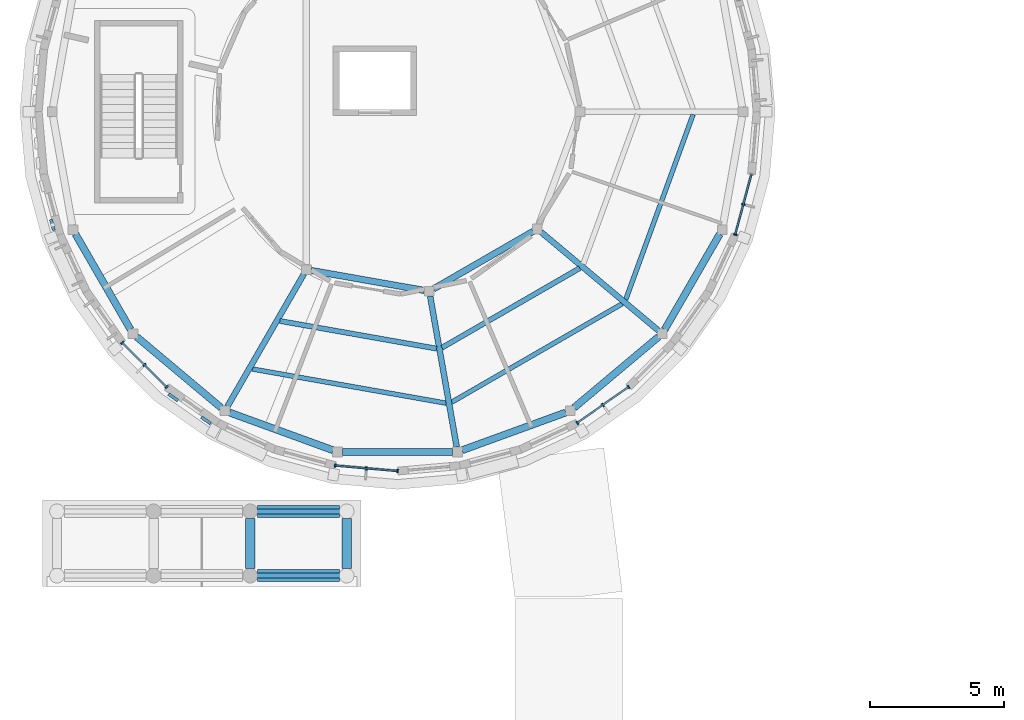
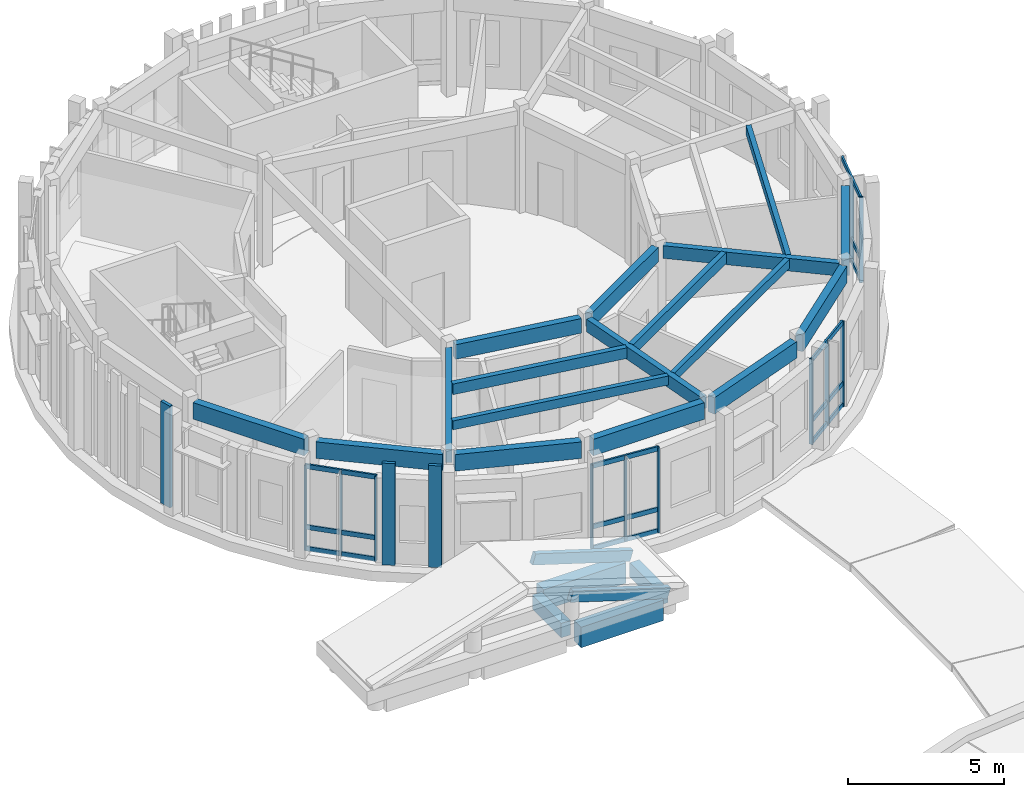
# One storey, part 13 of 58: 28 members, 21 beams, 4 elements without a shape of their own.
"""IFC4 building model written with IfcOpenShell, lengths in metres."""

from ifc_helpers import new_model, si_unit, direction, frame, origin, origin_2d, place, context, subcontext, project, spatial, rectangle, extrude, material, layer, layer_set, material_profile, profile_set, type_object, element, aggregate, save


model = new_model("IFC4")

# Units and contexts
model_context = context("Model", 3, precision=1e-05, world=origin(), true_north=direction((0.0, 1.0)))
body_context = subcontext(model_context, "Body", "Model", "MODEL_VIEW")
ifc_project = project(units=[si_unit("LENGTHUNIT", "METRE"), si_unit("AREAUNIT", "SQUARE_METRE"), si_unit("VOLUMEUNIT", "CUBIC_METRE"), si_unit("PLANEANGLEUNIT", "RADIAN"), si_unit("MASSUNIT", "GRAM", prefix="KILO")], contexts=[model_context])

# Site, building, storey
site_placement = place(None, origin())
site = spatial("IfcSite", under=ifc_project, at=site_placement, CompositionType="ELEMENT")
building_placement = place(site_placement, origin())
building = spatial("IfcBuilding", under=site, at=building_placement, Name="Aldenvaro Health Centre", CompositionType="ELEMENT")
storey_placement = place(building_placement, frame((0.0, 0.0, 8.75)))
storey = spatial("IfcBuildingStorey", under=building, at=storey_placement, Name="L02", CompositionType="ELEMENT", Elevation=8.75)

# Beams
ifc_material_1 = material(Name="Glulam GL28h", Category="wood")
ifc_material_profile_1 = material_profile(ifc_material_1, rectangle(XDim=0.175048828125, YDim=0.35009765625, at=origin_2d()), Name="GL 175x350", Category="wood")
ifc_profile_set_1 = profile_set([ifc_material_profile_1], Name="Glulam GL28h")
beam_type_1 = type_object("IfcBeamType", Name="BM-GL-350", PredefinedType="JOIST", material=ifc_profile_set_1)
beam_1_placement = place(storey_placement, frame((13.077880859375, 89.906982421875, 3.800048828125), z_axis=(0.984808635893, -0.173643170525, 0.0), x_axis=(0.173643170525, 0.984808635893, 0.0)))
element("IfcBeam", 1, at=beam_1_placement, inside=storey, type_object=beam_type_1, Name="D4 L02 secondary joist 04.2", PredefinedType="JOIST", context=body_context, shape_type="SweptSolid", body=[
    extrude(rectangle(XDim=0.175048828125, YDim=0.35009765625, at=origin_2d()), origin(), (0.0, 0.0, 1.0), 7.34765625),
])
beam_2_placement = place(storey_placement, frame((20.512939453125, 88.666015625, 3.800048828125), z_axis=(0.866036760986, 0.499980328234, 0.0), x_axis=(-0.499980328234, 0.866036760986, 0.0)))
element("IfcBeam", 2, at=beam_2_placement, inside=storey, type_object=beam_type_1, Name="D4 L02 secondary joist 05.2", PredefinedType="JOIST", context=body_context, shape_type="SweptSolid", body=[
    extrude(rectangle(XDim=0.175048828125, YDim=0.35009765625, at=origin_2d()), origin(), (0.0, 0.0, 1.0), 7.348388671875),
])
beam_3_placement = place(storey_placement, frame((27.006103515625, 92.493896484375, 3.800048828125), z_axis=(0.341985813082, 0.939705115263, 0.0), x_axis=(-0.939705115263, 0.341985813082, 0.0)))
element("IfcBeam", 3, at=beam_3_placement, inside=storey, type_object=beam_type_1, Name="D4 L02 secondary joist 06.2", PredefinedType="JOIST", context=body_context, shape_type="SweptSolid", body=[
    extrude(rectangle(XDim=0.175048828125, YDim=0.35009765625, at=origin_2d()), origin(), (0.0, 0.0, 1.0), 7.34814453125),
])
ifc_material_profile_2 = material_profile(ifc_material_1, rectangle(XDim=0.18994140625, YDim=0.41796875, at=origin_2d()), Name="GL 190x418", Category="wood")
ifc_profile_set_2 = profile_set([ifc_material_profile_2], Name="Glulam GL28h")
beam_type_2 = type_object("IfcBeamType", Name="BM-GL-418", PredefinedType="JOIST", material=ifc_profile_set_2)
beam_4_placement = place(storey_placement, frame((14.111083984375, 91.697021484375, 3.76611328125), z_axis=(0.98479184112, -0.173738394329, 0.0), x_axis=(0.173738394329, 0.98479184112, 0.0)))
element("IfcBeam", 4, at=beam_4_placement, inside=storey, type_object=beam_type_2, Name="D4 L02 secondary joist 04.1", PredefinedType="JOIST", context=body_context, shape_type="SweptSolid", body=[
    extrude(rectangle(XDim=0.18994140625, YDim=0.41796875, at=origin_2d()), origin(), (0.0, 0.0, 1.0), 5.934326171875),
])
beam_5_placement = place(storey_placement, frame((20.154052734375, 90.700927734375, 3.76611328125), z_axis=(0.866019093774, 0.5000109291, 0.0), x_axis=(-0.5000109291, 0.866019093774, 0.0)))
element("IfcBeam", 5, at=beam_5_placement, inside=storey, type_object=beam_type_2, Name="D4 L02 secondary joist 05.1", PredefinedType="JOIST", context=body_context, shape_type="SweptSolid", body=[
    extrude(rectangle(XDim=0.18994140625, YDim=0.41796875, at=origin_2d()), origin(), (0.0, 0.0, 1.0), 5.933837890625),
])
ifc_material_profile_3 = material_profile(ifc_material_1, rectangle(XDim=0.215087890625, YDim=0.493896484375, at=origin_2d()), Name="GL 215x494", Category="wood")
ifc_profile_set_3 = profile_set([ifc_material_profile_3], Name="Glulam GL28h")
beam_type_3 = type_object("IfcBeamType", Name="BM-GL-494", PredefinedType="BEAM", material=ifc_profile_set_3)
beam_6_placement = place(storey_placement, frame((15.009033203125, 93.452880859375, 3.72802734375), z_axis=(-0.50011318099, -0.865960048847, 0.0), x_axis=(0.865960048847, -0.50011318099, 0.0)))
element("IfcBeam", 6, at=beam_6_placement, inside=storey, type_object=beam_type_3, Name="D4 L02 radial beam 04", PredefinedType="BEAM", context=body_context, shape_type="SweptSolid", body=[
    extrude(rectangle(XDim=0.215087890625, YDim=0.493896484375, at=origin_2d()), origin(), (0.0, 0.0, 1.0), 5.715087890625),
])
beam_7_placement = place(storey_placement, frame((19.712890625, 92.623046875, 3.72802734375), z_axis=(0.173648830292, -0.984807637937, 0.0), x_axis=(0.984807637937, 0.173648830292, 0.0)))
element("IfcBeam", 7, at=beam_7_placement, inside=storey, type_object=beam_type_3, Name="D4 L02 radial beam 05", PredefinedType="BEAM", context=body_context, shape_type="SweptSolid", body=[
    extrude(rectangle(XDim=0.215087890625, YDim=0.493896484375, at=origin_2d()), origin(), (0.0, 0.0, 1.0), 5.7138671875),
])
beam_8_placement = place(storey_placement, frame((23.84912109375, 95.011962890625, 3.72802734375), z_axis=(0.765996790542, -0.642844395542, 0.0), x_axis=(0.642844395542, 0.765996790542, 0.0)))
element("IfcBeam", 8, at=beam_8_placement, inside=storey, type_object=beam_type_3, Name="D4 L02 radial beam 06", PredefinedType="BEAM", context=body_context, shape_type="SweptSolid", body=[
    extrude(rectangle(XDim=0.215087890625, YDim=0.493896484375, at=origin_2d()), origin(), (0.0, 0.0, 1.0), 5.71533203125),
])
ifc_material_profile_4 = material_profile(ifc_material_1, rectangle(XDim=0.239990234375, YDim=0.570068359375, at=origin_2d()), Name="GL 240x570", Category="wood")
ifc_profile_set_4 = profile_set([ifc_material_profile_4], Name="Glulam GL28h")
beam_type_4 = type_object("IfcBeamType", Name="BM-GL-570", PredefinedType="BEAM", material=ifc_profile_set_4)
beam_9_placement = place(storey_placement, frame((15.280029296875, 93.5791015625, 3.68994140625), z_axis=(0.984812790368, -0.173619606978, 0.0), x_axis=(0.173619606978, 0.984812790368, 0.0)))
element("IfcBeam", 9, at=beam_9_placement, inside=storey, type_object=beam_type_4, Name="D4 L02 inner ring beam 04", PredefinedType="BEAM", context=body_context, shape_type="SweptSolid", body=[
    extrude(rectangle(XDim=0.239990234375, YDim=0.570068359375, at=origin_2d()), origin(), (0.0, 0.0, 1.0), 4.2861328125),
])
beam_10_placement = place(storey_placement, frame((19.839111328125, 92.89404296875, 3.68994140625), z_axis=(0.865927566099, 0.500169421566, 0.0), x_axis=(-0.500169421566, 0.865927566099, 0.0)))
element("IfcBeam", 10, at=beam_10_placement, inside=storey, type_object=beam_type_4, Name="D4 L02 inner ring beam 05", PredefinedType="BEAM", context=body_context, shape_type="SweptSolid", body=[
    extrude(rectangle(XDim=0.239990234375, YDim=0.570068359375, at=origin_2d()), origin(), (0.0, 0.0, 1.0), 4.28662109375),
])
ifc_material_profile_5 = material_profile(ifc_material_1, rectangle(XDim=0.264892578125, YDim=0.64599609375, at=origin_2d()), Name="GL 265x646", Category="wood")
ifc_profile_set_5 = profile_set([ifc_material_profile_5], Name="Glulam GL28h")
beam_type_5 = type_object("IfcBeamType", Name="BM-GL-646", PredefinedType="SPANDREL", material=ifc_profile_set_5)
for number, where, z_axis, x_axis, name in (
    (11, (6.488037109375, 94.93701171875, 3.652099609375), (0.499941933745, -0.866058925757, 0.0), (0.866058925757, 0.499941933745, 0.0), "D4 L02 perimeter spandrel 11"),
    (12, (8.77294921875, 91.10400390625, 3.652099609375), (0.765985749545, -0.64285755148, 0.0), (0.64285755148, 0.765985749545, 0.0), "D4 L02 perimeter spandrel 12"),
):
    element("IfcBeam", number, at=place(storey_placement, frame(where, z_axis=z_axis, x_axis=x_axis)), inside=storey, type_object=beam_type_5, Name=name, PredefinedType="SPANDREL", context=body_context, shape_type="SweptSolid", body=[
        extrude(rectangle(XDim=0.264892578125, YDim=0.64599609375, at=origin_2d()), origin(), (0.0, 0.0, 1.0), 4.1083984375),
    ])
beam_11_placement = place(storey_placement, frame((12.23095703125, 88.283935546875, 3.652099609375), z_axis=(0.939638936846, -0.342167602738, 0.0), x_axis=(0.342167602738, 0.939638936846, 0.0)))
element("IfcBeam", 13, at=beam_11_placement, inside=storey, type_object=beam_type_5, Name="D4 L02 perimeter spandrel 13", PredefinedType="SPANDREL", context=body_context, shape_type="SweptSolid", body=[
    extrude(rectangle(XDim=0.264892578125, YDim=0.64599609375, at=origin_2d()), origin(), (0.0, 0.0, 1.0), 4.109130859375),
])
beam_12_placement = place(storey_placement, frame((16.446044921875, 86.81591796875, 3.652099609375), z_axis=(1.0, 0.0, 0.0), x_axis=(0.0, 1.0, 0.0)))
element("IfcBeam", 14, at=beam_12_placement, inside=storey, type_object=beam_type_5, Name="D4 L02 perimeter spandrel 14", PredefinedType="SPANDREL", context=body_context, shape_type="SweptSolid", body=[
    extrude(rectangle(XDim=0.264892578125, YDim=0.64599609375, at=origin_2d()), origin(), (0.0, 0.0, 1.0), 4.10791015625),
])
beam_13_placement = place(storey_placement, frame((20.907958984375, 86.8779296875, 3.652099609375), z_axis=(0.939638936846, 0.342167602738, 0.0), x_axis=(-0.342167602738, 0.939638936846, 0.0)))
element("IfcBeam", 15, at=beam_13_placement, inside=storey, type_object=beam_type_5, Name="D4 L02 perimeter spandrel 15", PredefinedType="SPANDREL", context=body_context, shape_type="SweptSolid", body=[
    extrude(rectangle(XDim=0.264892578125, YDim=0.64599609375, at=origin_2d()), origin(), (0.0, 0.0, 1.0), 4.109130859375),
])
for number, where, z_axis, x_axis, name in (
    (16, (25.080078125, 88.462890625, 3.652099609375), (0.765985749545, 0.64285755148, 0.0), (-0.64285755148, 0.765985749545, 0.0), "D4 L02 perimeter spandrel 16"),
    (17, (28.4580078125, 91.37890625, 3.652099609375), (0.499941933745, 0.866058925757, 0.0), (-0.866058925757, 0.499941933745, 0.0), "D4 L02 perimeter spandrel 17"),
):
    element("IfcBeam", number, at=place(storey_placement, frame(where, z_axis=z_axis, x_axis=x_axis)), inside=storey, type_object=beam_type_5, Name=name, PredefinedType="SPANDREL", context=body_context, shape_type="SweptSolid", body=[
        extrude(rectangle(XDim=0.264892578125, YDim=0.64599609375, at=origin_2d()), origin(), (0.0, 0.0, 1.0), 4.1083984375),
    ])
ifc_material_2 = material(Name="Concrete f'c 40 MPa", Category="concrete")
ifc_material_profile_6 = material_profile(ifc_material_2, rectangle(XDim=0.35009765625, YDim=0.56005859375, at=origin_2d()), Name="RC 350x560", Category="concrete")
ifc_profile_set_6 = profile_set([ifc_material_profile_6], Name="Concrete f'c 40 MPa")
beam_type_6 = type_object("IfcBeamType", Name="BM-RC-560E", PredefinedType="JOIST", material=ifc_profile_set_6)
for number, where, z_axis, x_axis, name in (
    (18, (13.0, 82.47509765625, 0.320068359375), (0.0, 1.0, 0.0), (-1.0, 0.0, 0.0), "Bastion Portico N4 Entablature Tie 3"),
    (19, (16.60009765625, 82.47509765625, 0.320068359375), (0.0, 1.0, 0.0), (-1.0, 0.0, 0.0), "Bastion Portico N4 Entablature Tie 4"),
):
    element("IfcBeam", number, at=place(storey_placement, frame(where, z_axis=z_axis, x_axis=x_axis)), inside=storey, type_object=beam_type_6, Name=name, PredefinedType="JOIST", context=body_context, shape_type="SweptSolid", body=[
        extrude(rectangle(XDim=0.35009765625, YDim=0.56005859375, at=origin_2d()), origin(), (0.0, 0.0, 1.0), 1.849853515625),
    ])
ifc_material_profile_7 = material_profile(ifc_material_2, rectangle(XDim=0.449951171875, YDim=0.800048828125, at=origin_2d()), Name="RC 450x800", Category="concrete")
ifc_profile_set_7 = profile_set([ifc_material_profile_7], Name="Concrete f'c 40 MPa")
beam_type_7 = type_object("IfcBeamType", Name="BM-RC-800", PredefinedType="SPANDREL", material=ifc_profile_set_7)
for number, where, z_axis, x_axis, name in (
    (20, (13.27490234375, 82.199951171875, 0.199951171875), (1.0, 0.0, 0.0), (0.0, 1.0, 0.0), "Bastion Portico N4 Classical Architrave 3.1"),
    (21, (13.27490234375, 84.60009765625, 0.199951171875), (1.0, 0.0, 0.0), (0.0, 1.0, 0.0), "Bastion Portico N4 Classical Architrave 3.2"),
):
    element("IfcBeam", number, at=place(storey_placement, frame(where, z_axis=z_axis, x_axis=x_axis)), inside=storey, type_object=beam_type_7, Name=name, PredefinedType="SPANDREL", context=body_context, shape_type="SweptSolid", body=[
        extrude(rectangle(XDim=0.449951171875, YDim=0.800048828125, at=origin_2d()), origin(), (0.0, 0.0, 1.0), 3.050048828125),
    ])

# Curtain wall, members
ifc_material_3 = material(Name="Anodised Aluminium 6063-T6", Category="aluminium")
ifc_layer = layer(ifc_material_3, 0.195068359375, Name="Anodised Aluminium 6063-T6", Category="aluminium")
ifc_layer_set = layer_set([ifc_layer], Name="Anodised Aluminium 6063-T6")
curtain_wall_type = type_object("IfcCurtainWallType", Name="CW-CLN-02", PredefinedType="NOTDEFINED", material=ifc_layer_set)
curtain_wall_1_placement = place(storey_placement, origin())
curtain_wall_1 = element("IfcCurtainWall", 22, at=curtain_wall_1_placement, inside=storey, type_object=curtain_wall_type, Name="D4 L02 curtain wall bay 02", PredefinedType="NOTDEFINED")
ifc_material_profile_8 = material_profile(ifc_material_3, rectangle(XDim=0.06005859375, YDim=0.135009765625, at=origin_2d()), Name="ALU 60x135", Category="aluminium")
ifc_profile_set_8 = profile_set([ifc_material_profile_8], Name="Anodised Aluminium 6063-T6")
member_type_1 = type_object("IfcMemberType", Name="CWM-150", PredefinedType="MULLION", material=ifc_profile_set_8)
member_1_placement = place(storey_placement, frame((31.39404296875, 96.044921875, 0.0), z_axis=(0.0, 0.0, 1.0), x_axis=(-0.258621935517, -0.965978620089, 0.0)))
member_1 = element("IfcMember", 23, at=member_1_placement, type_object=member_type_1, Name="D4 L02 curtain wall bay 02 mullion 2", PredefinedType="MULLION", context=body_context, shape_type="SweptSolid", body=[
    extrude(rectangle(XDim=0.06005859375, YDim=0.135009765625, at=origin_2d()), origin(), (0.0, 0.0, 1.0), 3.3291015625),
])
member_2_placement = place(storey_placement, frame((31.092041015625, 94.9169921875, 0.0), z_axis=(0.0, 0.0, 1.0), x_axis=(-0.258621935517, -0.965978620089, 0.0)))
member_2 = element("IfcMember", 24, at=member_2_placement, type_object=member_type_1, Name="D4 L02 curtain wall bay 02 mullion 3", PredefinedType="MULLION", context=body_context, shape_type="SweptSolid", body=[
    extrude(rectangle(XDim=0.06005859375, YDim=0.135009765625, at=origin_2d()), origin(), (0.0, 0.0, 1.0), 3.3291015625),
])

curtain_wall_2_placement = place(storey_placement, origin())
curtain_wall_2 = element("IfcCurtainWall", 25, at=curtain_wall_2_placement, inside=storey, type_object=curtain_wall_type, Name="D4 L02 curtain wall bay 06", PredefinedType="NOTDEFINED")
member_3_placement = place(storey_placement, frame((27.113037109375, 89.235107421875, 0.0), z_axis=(0.0, 0.0, 1.0), x_axis=(-0.819050849853, -0.573720929857, 0.0)))
member_3 = element("IfcMember", 26, at=member_3_placement, type_object=member_type_1, Name="D4 L02 curtain wall bay 06 mullion 1", PredefinedType="MULLION", context=body_context, shape_type="SweptSolid", body=[
    extrude(rectangle(XDim=0.06005859375, YDim=0.135009765625, at=origin_2d()), origin(), (0.0, 0.0, 1.0), 3.3291015625),
])
member_4_placement = place(storey_placement, frame((26.156982421875, 88.56494140625, 0.0), z_axis=(0.0, 0.0, 1.0), x_axis=(-0.819050849853, -0.573720929857, 0.0)))
member_4 = element("IfcMember", 27, at=member_4_placement, type_object=member_type_1, Name="D4 L02 curtain wall bay 06 mullion 2", PredefinedType="MULLION", context=body_context, shape_type="SweptSolid", body=[
    extrude(rectangle(XDim=0.06005859375, YDim=0.135009765625, at=origin_2d()), origin(), (0.0, 0.0, 1.0), 3.3291015625),
])
member_5_placement = place(storey_placement, frame((25.199951171875, 87.89501953125, 0.0), z_axis=(0.0, 0.0, 1.0), x_axis=(-0.819050849853, -0.573720929857, 0.0)))
member_5 = element("IfcMember", 28, at=member_5_placement, type_object=member_type_1, Name="D4 L02 curtain wall bay 06 mullion 3", PredefinedType="MULLION", context=body_context, shape_type="SweptSolid", body=[
    extrude(rectangle(XDim=0.06005859375, YDim=0.135009765625, at=origin_2d()), origin(), (0.0, 0.0, 1.0), 3.3291015625),
])

curtain_wall_3_placement = place(storey_placement, origin())
curtain_wall_3 = element("IfcCurtainWall", 29, at=curtain_wall_3_placement, inside=storey, type_object=curtain_wall_type, Name="D4 L02 curtain wall bay 10", PredefinedType="NOTDEFINED")
member_6_placement = place(storey_placement, frame((18.5, 86.10009765625, 0.0), z_axis=(0.0, 0.0, 1.0), x_axis=(-0.996179299052, 0.087331575855, 0.0)))
member_6 = element("IfcMember", 30, at=member_6_placement, type_object=member_type_1, Name="D4 L02 curtain wall bay 10 mullion 1", PredefinedType="MULLION", context=body_context, shape_type="SweptSolid", body=[
    extrude(rectangle(XDim=0.06005859375, YDim=0.135009765625, at=origin_2d()), origin(), (0.0, 0.0, 1.0), 3.3291015625),
])
member_7_placement = place(storey_placement, frame((17.3369140625, 86.201904296875, 0.0), z_axis=(0.0, 0.0, 1.0), x_axis=(-0.996179299052, 0.087331575855, 0.0)))
member_7 = element("IfcMember", 31, at=member_7_placement, type_object=member_type_1, Name="D4 L02 curtain wall bay 10 mullion 2", PredefinedType="MULLION", context=body_context, shape_type="SweptSolid", body=[
    extrude(rectangle(XDim=0.06005859375, YDim=0.135009765625, at=origin_2d()), origin(), (0.0, 0.0, 1.0), 3.3291015625),
])
member_8_placement = place(storey_placement, frame((16.173095703125, 86.303955078125, 0.0), z_axis=(0.0, 0.0, 1.0), x_axis=(-0.996179299052, 0.087331575855, 0.0)))
member_8 = element("IfcMember", 32, at=member_8_placement, type_object=member_type_1, Name="D4 L02 curtain wall bay 10 mullion 3", PredefinedType="MULLION", context=body_context, shape_type="SweptSolid", body=[
    extrude(rectangle(XDim=0.06005859375, YDim=0.135009765625, at=origin_2d()), origin(), (0.0, 0.0, 1.0), 3.3291015625),
])

curtain_wall_4_placement = place(storey_placement, origin())
curtain_wall_4 = element("IfcCurtainWall", 33, at=curtain_wall_4_placement, inside=storey, type_object=curtain_wall_type, Name="D4 L02 curtain wall bay 14", PredefinedType="NOTDEFINED")
member_9_placement = place(storey_placement, frame((9.886962890625, 89.235107421875, 0.0), z_axis=(0.0, 0.0, 1.0), x_axis=(-0.707106781187, 0.707106781187, 0.0)))
member_9 = element("IfcMember", 34, at=member_9_placement, type_object=member_type_1, Name="D4 L02 curtain wall bay 14 mullion 1", PredefinedType="MULLION", context=body_context, shape_type="SweptSolid", body=[
    extrude(rectangle(XDim=0.06005859375, YDim=0.135009765625, at=origin_2d()), origin(), (0.0, 0.0, 1.0), 3.3291015625),
])
member_10_placement = place(storey_placement, frame((9.06103515625, 90.06103515625, 0.0), z_axis=(0.0, 0.0, 1.0), x_axis=(-0.707106781187, 0.707106781187, 0.0)))
member_10 = element("IfcMember", 35, at=member_10_placement, type_object=member_type_1, Name="D4 L02 curtain wall bay 14 mullion 2", PredefinedType="MULLION", context=body_context, shape_type="SweptSolid", body=[
    extrude(rectangle(XDim=0.06005859375, YDim=0.135009765625, at=origin_2d()), origin(), (0.0, 0.0, 1.0), 3.3291015625),
])
member_11_placement = place(storey_placement, frame((8.235107421875, 90.886962890625, 0.0), z_axis=(0.0, 0.0, 1.0), x_axis=(-0.707106781187, 0.707106781187, 0.0)))
member_11 = element("IfcMember", 36, at=member_11_placement, type_object=member_type_1, Name="D4 L02 curtain wall bay 14 mullion 3", PredefinedType="MULLION", context=body_context, shape_type="SweptSolid", body=[
    extrude(rectangle(XDim=0.06005859375, YDim=0.135009765625, at=origin_2d()), origin(), (0.0, 0.0, 1.0), 3.3291015625),
])

# Member
ifc_material_profile_9 = material_profile(ifc_material_3, rectangle(XDim=0.06494140625, YDim=0.179931640625, at=origin_2d()), Name="ALU 65x180", Category="aluminium")
ifc_profile_set_9 = profile_set([ifc_material_profile_9], Name="Anodised Aluminium 6063-T6")
member_type_2 = type_object("IfcMemberType", Name="CWT-150", PredefinedType="USERDEFINED", material=ifc_profile_set_9)
member_12_placement = place(storey_placement, frame((31.696044921875, 97.173095703125, 0.06005859375), z_axis=(-0.258612423585, -0.965981166673, 0.0), x_axis=(0.965981166673, -0.258612423585, 0.0)))
member_12 = element("IfcMember", 37, at=member_12_placement, type_object=member_type_2, Name="D4 L02 curtain wall bay 02 transom 1", ObjectType="TRANSOM", PredefinedType="USERDEFINED", context=body_context, shape_type="SweptSolid", body=[
    extrude(rectangle(XDim=0.06494140625, YDim=0.179931640625, at=origin_2d()), origin(), (0.0, 0.0, 1.0), 2.33544921875),
])

member_13_placement = place(storey_placement, frame((31.696044921875, 97.173095703125, 0.89990234375), z_axis=(-0.258612423585, -0.965981166673, 0.0), x_axis=(0.965981166673, -0.258612423585, 0.0)))
member_13 = element("IfcMember", 38, at=member_13_placement, type_object=member_type_2, Name="D4 L02 curtain wall bay 02 transom 2", ObjectType="TRANSOM", PredefinedType="USERDEFINED", context=body_context, shape_type="SweptSolid", body=[
    extrude(rectangle(XDim=0.06494140625, YDim=0.179931640625, at=origin_2d()), origin(), (0.0, 0.0, 1.0), 2.33544921875),
])

member_14_placement = place(storey_placement, frame((31.696044921875, 97.173095703125, 3.26904296875), z_axis=(-0.258612423585, -0.965981166673, 0.0), x_axis=(0.965981166673, -0.258612423585, 0.0)))
member_14 = element("IfcMember", 39, at=member_14_placement, type_object=member_type_2, Name="D4 L02 curtain wall bay 02 transom 3", ObjectType="TRANSOM", PredefinedType="USERDEFINED", context=body_context, shape_type="SweptSolid", body=[
    extrude(rectangle(XDim=0.06494140625, YDim=0.179931640625, at=origin_2d()), origin(), (0.0, 0.0, 1.0), 2.33544921875),
])

aggregate(curtain_wall_1, [member_1, member_2, member_12, member_13, member_14])

member_15_placement = place(storey_placement, frame((27.113037109375, 89.235107421875, 0.06005859375), z_axis=(-0.819045278347, -0.573728883722, 0.0), x_axis=(0.573728883722, -0.819045278347, 0.0)))
member_15 = element("IfcMember", 40, at=member_15_placement, type_object=member_type_2, Name="D4 L02 curtain wall bay 06 transom 1", ObjectType="TRANSOM", PredefinedType="USERDEFINED", context=body_context, shape_type="SweptSolid", body=[
    extrude(rectangle(XDim=0.06494140625, YDim=0.179931640625, at=origin_2d()), origin(), (0.0, 0.0, 1.0), 2.335693359375),
])

member_16_placement = place(storey_placement, frame((27.113037109375, 89.235107421875, 0.89990234375), z_axis=(-0.819045278347, -0.573728883722, 0.0), x_axis=(0.573728883722, -0.819045278347, 0.0)))
member_16 = element("IfcMember", 41, at=member_16_placement, type_object=member_type_2, Name="D4 L02 curtain wall bay 06 transom 2", ObjectType="TRANSOM", PredefinedType="USERDEFINED", context=body_context, shape_type="SweptSolid", body=[
    extrude(rectangle(XDim=0.06494140625, YDim=0.179931640625, at=origin_2d()), origin(), (0.0, 0.0, 1.0), 2.335693359375),
])

member_17_placement = place(storey_placement, frame((27.113037109375, 89.235107421875, 3.26904296875), z_axis=(-0.819045278347, -0.573728883722, 0.0), x_axis=(0.573728883722, -0.819045278347, 0.0)))
member_17 = element("IfcMember", 42, at=member_17_placement, type_object=member_type_2, Name="D4 L02 curtain wall bay 06 transom 3", ObjectType="TRANSOM", PredefinedType="USERDEFINED", context=body_context, shape_type="SweptSolid", body=[
    extrude(rectangle(XDim=0.06494140625, YDim=0.179931640625, at=origin_2d()), origin(), (0.0, 0.0, 1.0), 2.335693359375),
])

aggregate(curtain_wall_2, [member_3, member_4, member_5, member_15, member_16, member_17])

member_18_placement = place(storey_placement, frame((18.5, 86.10009765625, 0.06005859375), z_axis=(-0.996184295282, 0.087274565792, 0.0), x_axis=(-0.087274565792, -0.996184295282, 0.0)))
member_18 = element("IfcMember", 43, at=member_18_placement, type_object=member_type_2, Name="D4 L02 curtain wall bay 10 transom 1", ObjectType="TRANSOM", PredefinedType="USERDEFINED", context=body_context, shape_type="SweptSolid", body=[
    extrude(rectangle(XDim=0.06494140625, YDim=0.179931640625, at=origin_2d()), origin(), (0.0, 0.0, 1.0), 2.3359375),
])

member_19_placement = place(storey_placement, frame((18.5, 86.10009765625, 0.89990234375), z_axis=(-0.996184295282, 0.087274565792, 0.0), x_axis=(-0.087274565792, -0.996184295282, 0.0)))
member_19 = element("IfcMember", 44, at=member_19_placement, type_object=member_type_2, Name="D4 L02 curtain wall bay 10 transom 2", ObjectType="TRANSOM", PredefinedType="USERDEFINED", context=body_context, shape_type="SweptSolid", body=[
    extrude(rectangle(XDim=0.06494140625, YDim=0.179931640625, at=origin_2d()), origin(), (0.0, 0.0, 1.0), 2.3359375),
])

member_20_placement = place(storey_placement, frame((18.5, 86.10009765625, 3.26904296875), z_axis=(-0.996184295282, 0.087274565792, 0.0), x_axis=(-0.087274565792, -0.996184295282, 0.0)))
member_20 = element("IfcMember", 45, at=member_20_placement, type_object=member_type_2, Name="D4 L02 curtain wall bay 10 transom 3", ObjectType="TRANSOM", PredefinedType="USERDEFINED", context=body_context, shape_type="SweptSolid", body=[
    extrude(rectangle(XDim=0.06494140625, YDim=0.179931640625, at=origin_2d()), origin(), (0.0, 0.0, 1.0), 2.3359375),
])

aggregate(curtain_wall_3, [member_6, member_7, member_8, member_18, member_19, member_20])

member_21_placement = place(storey_placement, frame((9.886962890625, 89.235107421875, 0.06005859375), z_axis=(-0.707106781187, 0.707106781187, 0.0), x_axis=(-0.707106781187, -0.707106781187, 0.0)))
member_21 = element("IfcMember", 46, at=member_21_placement, type_object=member_type_2, Name="D4 L02 curtain wall bay 14 transom 1", ObjectType="TRANSOM", PredefinedType="USERDEFINED", context=body_context, shape_type="SweptSolid", body=[
    extrude(rectangle(XDim=0.06494140625, YDim=0.179931640625, at=origin_2d()), origin(), (0.0, 0.0, 1.0), 2.336181640625),
])

member_22_placement = place(storey_placement, frame((9.886962890625, 89.235107421875, 0.89990234375), z_axis=(-0.707106781187, 0.707106781187, 0.0), x_axis=(-0.707106781187, -0.707106781187, 0.0)))
member_22 = element("IfcMember", 47, at=member_22_placement, type_object=member_type_2, Name="D4 L02 curtain wall bay 14 transom 2", ObjectType="TRANSOM", PredefinedType="USERDEFINED", context=body_context, shape_type="SweptSolid", body=[
    extrude(rectangle(XDim=0.06494140625, YDim=0.179931640625, at=origin_2d()), origin(), (0.0, 0.0, 1.0), 2.336181640625),
])

member_23_placement = place(storey_placement, frame((9.886962890625, 89.235107421875, 3.26904296875), z_axis=(-0.707106781187, 0.707106781187, 0.0), x_axis=(-0.707106781187, -0.707106781187, 0.0)))
member_23 = element("IfcMember", 48, at=member_23_placement, type_object=member_type_2, Name="D4 L02 curtain wall bay 14 transom 3", ObjectType="TRANSOM", PredefinedType="USERDEFINED", context=body_context, shape_type="SweptSolid", body=[
    extrude(rectangle(XDim=0.06494140625, YDim=0.179931640625, at=origin_2d()), origin(), (0.0, 0.0, 1.0), 2.336181640625),
])

aggregate(curtain_wall_4, [member_9, member_10, member_11, member_21, member_22, member_23])

# Members
ifc_material_profile_10 = material_profile(ifc_material_1, rectangle(XDim=0.18994140625, YDim=0.41796875, at=origin_2d()), Name="GL 190x418", Category="wood")
ifc_profile_set_10 = profile_set([ifc_material_profile_10], Name="Glulam GL28h")
member_type_3 = type_object("IfcMemberType", Name="MEM-RF-418", PredefinedType="RAFTER", material=ifc_profile_set_10)
for number, where, z_axis, x_axis, name in (
    (49, (16.60009765625, 82.199951171875, 0.68994140625), (-0.954850245389, 0.0, 0.297087544137), (0.0, -1.0, 0.0), "Bastion Portico N4 East Rafter 1"),
    (50, (16.60009765625, 84.60009765625, 0.68994140625), (-0.954850245389, 0.0, 0.297087544137), (0.0, -1.0, 0.0), "Bastion Portico N4 East Rafter 2"),
):
    element("IfcMember", number, at=place(storey_placement, frame(where, z_axis=z_axis, x_axis=x_axis)), inside=storey, type_object=member_type_3, Name=name, PredefinedType="RAFTER", context=body_context, shape_type="SweptSolid", body=[
        extrude(rectangle(XDim=0.18994140625, YDim=0.41796875, at=origin_2d()), origin(), (0.0, 0.0, 1.0), 3.770263671875),
    ])
ifc_material_profile_11 = material_profile(ifc_material_1, rectangle(XDim=0.114990234375, YDim=0.419921875, at=origin_2d()), Name="GL 115x420", Category="wood")
ifc_profile_set_11 = profile_set([ifc_material_profile_11], Name="Glulam GL28h")
member_type_4 = type_object("IfcMemberType", Name="MEM-SLT-420A", PredefinedType="POST", material=ifc_profile_set_11)
for number, where, z_axis, x_axis, name in (
    (51, (11.35595703125, 87.992919921875, 0.0), (0.0, 0.0, 1.0), (-0.573720929857, -0.819050849853, 0.0), "D4 L02 vertical timber slat 13.1"),
    (52, (10.131103515625, 88.85107421875, 0.0), (0.0, 0.0, 1.0), (-0.573720929857, -0.819050849853, 0.0), "D4 L02 vertical timber slat 13.3"),
    (53, (5.6298828125, 95.277099609375, 0.0), (0.0, 0.0, 1.0), (-0.965978620089, -0.258621935517, 0.0), "D4 L02 vertical timber slat 17.1"),
):
    element("IfcMember", number, at=place(storey_placement, frame(where, z_axis=z_axis, x_axis=x_axis)), inside=storey, type_object=member_type_4, Name=name, PredefinedType="POST", context=body_context, shape_type="SweptSolid", body=[
        extrude(rectangle(XDim=0.114990234375, YDim=0.419921875, at=origin_2d()), origin(), (0.0, 0.0, 1.0), 3.97509765625),
    ])

save(model, "model.ifc")
